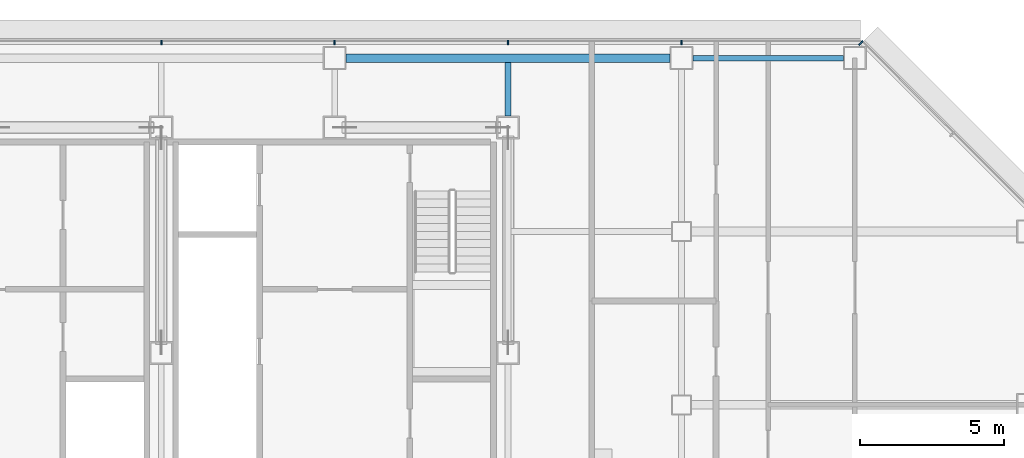
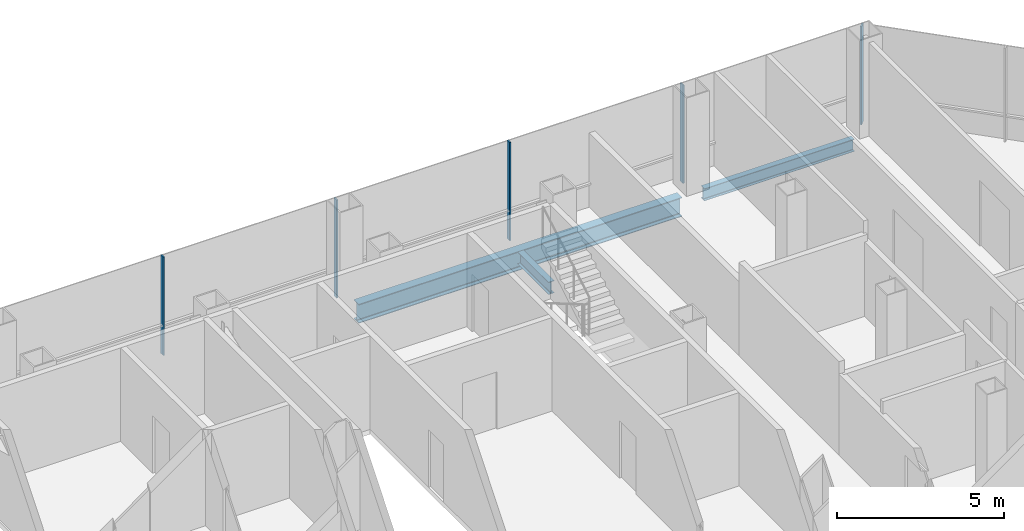
# One storey, part 14 of 25: 5 members, 3 beams, 2 elements without a shape of their own.
"""IFC4 building model written with IfcOpenShell, lengths in metres."""

from ifc_helpers import new_model, si_unit, direction, frame, origin, origin_2d, place, context, subcontext, project, spatial, rectangle, i_section, extrude, material, material_profile, profile_set, type_object, element, aggregate, save


model = new_model("IFC4")

# Units and contexts
model_context = context("Model", 3, precision=1e-05, world=origin(), true_north=direction((0.0, 1.0)))
body_context = subcontext(model_context, "Body", "Model", "MODEL_VIEW")
ifc_project = project(units=[si_unit("LENGTHUNIT", "METRE"), si_unit("AREAUNIT", "SQUARE_METRE"), si_unit("VOLUMEUNIT", "CUBIC_METRE"), si_unit("PLANEANGLEUNIT", "RADIAN"), si_unit("MASSUNIT", "GRAM", prefix="KILO")], contexts=[model_context])

# Site, building, storey
site_placement = place(None, origin())
site = spatial("IfcSite", under=ifc_project, at=site_placement, CompositionType="ELEMENT")
building_placement = place(site_placement, origin())
building = spatial("IfcBuilding", under=site, at=building_placement, Name="Sorahane Residences", CompositionType="ELEMENT")
storey_placement = place(building_placement, frame((0.0, 0.0, 119.60009765625)))
storey = spatial("IfcBuildingStorey", under=building, at=storey_placement, Name="L26", CompositionType="ELEMENT", Elevation=119.60009765625)

# Curtain wall, members
ifc_material_1 = material(Name="Dark low-e glass and black anodised aluminium", Category="aluminium")
curtain_wall_type_1 = type_object("IfcCurtainWallType", Name="Curtain wall CW-1 Typical unitised wall", PredefinedType="NOTDEFINED", material=ifc_material_1)
curtain_wall_1_placement = place(storey_placement, origin())
curtain_wall_1 = element("IfcCurtainWall", 1, at=curtain_wall_1_placement, inside=storey, type_object=curtain_wall_type_1, Name="CW-1 curtain wall L26 N1", PredefinedType="NOTDEFINED")
ifc_material_2 = material(Name="Black anodised aluminium", Category="aluminium")
ifc_material_profile_1 = material_profile(ifc_material_2, rectangle(XDim=0.159912109375, YDim=0.050048828125, at=origin_2d()), Name="Curtain wall mullion CW-1 black anodised aluminium 50x160")
ifc_profile_set_1 = profile_set([ifc_material_profile_1], Name="Black anodised aluminium")
member_type_1 = type_object("IfcMemberType", Name="Curtain wall mullion CW-1 black anodised aluminium 50x160", PredefinedType="MULLION", material=ifc_profile_set_1)
member_1_placement = place(storey_placement, frame((48.0, 48.5400390625, -0.18017578125), z_axis=(0.0, 0.0, 1.0), x_axis=(0.0, 1.0, 0.0)))
member_1 = element("IfcMember", 2, at=member_1_placement, type_object=member_type_1, Name="CW-1 mullion L26 N1.2", PredefinedType="MULLION", context=body_context, shape_type="SweptSolid", body=[
    extrude(rectangle(XDim=0.159912109375, YDim=0.050048828125, at=origin_2d()), origin(), (0.0, 0.0, 1.0), 3.60009765625),
])
member_2_placement = place(storey_placement, frame((42.0, 48.5400390625, -0.18017578125), z_axis=(0.0, 0.0, 1.0), x_axis=(0.0, 1.0, 0.0)))
member_2 = element("IfcMember", 3, at=member_2_placement, type_object=member_type_1, Name="CW-1 mullion L26 N1.3", PredefinedType="MULLION", context=body_context, shape_type="SweptSolid", body=[
    extrude(rectangle(XDim=0.159912109375, YDim=0.050048828125, at=origin_2d()), origin(), (0.0, 0.0, 1.0), 3.60009765625),
])
member_3_placement = place(storey_placement, frame((36.0, 48.5400390625, -0.18017578125), z_axis=(0.0, 0.0, 1.0), x_axis=(0.0, 1.0, 0.0)))
member_3 = element("IfcMember", 4, at=member_3_placement, type_object=member_type_1, Name="CW-1 mullion L26 N1.4", PredefinedType="MULLION", context=body_context, shape_type="SweptSolid", body=[
    extrude(rectangle(XDim=0.159912109375, YDim=0.050048828125, at=origin_2d()), origin(), (0.0, 0.0, 1.0), 3.60009765625),
])
member_4_placement = place(storey_placement, frame((30.0, 48.5400390625, -0.18017578125), z_axis=(0.0, 0.0, 1.0), x_axis=(0.0, 1.0, 0.0)))
member_4 = element("IfcMember", 5, at=member_4_placement, type_object=member_type_1, Name="CW-1 mullion L26 N1.5", PredefinedType="MULLION", context=body_context, shape_type="SweptSolid", body=[
    extrude(rectangle(XDim=0.159912109375, YDim=0.050048828125, at=origin_2d()), origin(), (0.0, 0.0, 1.0), 3.60009765625),
])
aggregate(curtain_wall_1, [member_1, member_2, member_3, member_4])

# Curtain wall, member
ifc_material_3 = material(Name="Dark low-e glass and black anodised aluminium", Category="aluminium")
curtain_wall_type_2 = type_object("IfcCurtainWallType", Name="Curtain wall CW-2 Chamfer unitised wall", PredefinedType="NOTDEFINED", material=ifc_material_3)
curtain_wall_2_placement = place(storey_placement, origin())
curtain_wall_2 = element("IfcCurtainWall", 6, at=curtain_wall_2_placement, inside=storey, type_object=curtain_wall_type_2, Name="CW-2 curtain wall L26 NE1", PredefinedType="NOTDEFINED")
ifc_material_4 = material(Name="Black anodised aluminium", Category="aluminium")
ifc_material_profile_2 = material_profile(ifc_material_4, rectangle(XDim=0.199951171875, YDim=0.050048828125, at=origin_2d()), Name="Curtain wall mullion CW-2 black anodised aluminium 50x200")
ifc_profile_set_2 = profile_set([ifc_material_profile_2], Name="Black anodised aluminium")
member_type_2 = type_object("IfcMemberType", Name="Curtain wall mullion CW-2 black anodised aluminium 50x200", PredefinedType="MULLION", material=ifc_profile_set_2)
member_5_placement = place(storey_placement, frame((54.209716796875, 48.525634765625, -0.18017578125), z_axis=(0.0, 0.0, 1.0), x_axis=(0.707106781187, 0.707106781187, 0.0)))
member_5 = element("IfcMember", 7, at=member_5_placement, type_object=member_type_2, Name="CW-2 mullion L26 NE1.3", PredefinedType="MULLION", context=body_context, shape_type="SweptSolid", body=[
    extrude(rectangle(XDim=0.199951171875, YDim=0.050048828125, at=origin_2d()), origin(), (0.0, 0.0, 1.0), 3.60009765625),
])
aggregate(curtain_wall_2, [member_5])

# Beams
ifc_material_5 = material(Name="Steel Q355B", Category="steel")
ifc_material_profile_3 = material_profile(ifc_material_5, i_section(OverallWidth=0.199951171875, OverallDepth=0.449951171875, WebThickness=0.009033203125, FlangeThickness=0.013916015625, FilletRadius=0.02001953125, at=origin_2d()), Name="HN 450x200x9x14")
ifc_profile_set_3 = profile_set([ifc_material_profile_3], Name="Steel Q355B")
beam_type_1 = type_object("IfcBeamType", Name="Steel floor beam HN 450x200x9x14 Q355B", PredefinedType="BEAM", material=ifc_profile_set_3)
beam_1_placement = place(storey_placement, frame((48.39990234375, 48.0, -0.405029296875), z_axis=(1.0, 0.0, 0.0), x_axis=(0.0, 1.0, 0.0)))
element("IfcBeam", 8, at=beam_1_placement, inside=storey, type_object=beam_type_1, Name="Beam L26 019", PredefinedType="BEAM", context=body_context, shape_type="SweptSolid", body=[
    extrude(i_section(OverallWidth=0.199951171875, OverallDepth=0.449951171875, WebThickness=0.009033203125, FlangeThickness=0.013916015625, FilletRadius=0.02001953125, at=origin_2d()), origin(), (0.0, 0.0, 1.0), 5.2001953125),
])
beam_2_placement = place(storey_placement, frame((42.0, 46.0, -0.405029296875), z_axis=(0.0, 1.0, 0.0), x_axis=(-1.0, 0.0, 0.0)))
element("IfcBeam", 9, at=beam_2_placement, inside=storey, type_object=beam_type_1, Name="Beam L26 057", PredefinedType="BEAM", context=body_context, shape_type="SweptSolid", body=[
    extrude(i_section(OverallWidth=0.199951171875, OverallDepth=0.449951171875, WebThickness=0.009033203125, FlangeThickness=0.013916015625, FilletRadius=0.02001953125, at=origin_2d()), origin(), (0.0, 0.0, 1.0), 1.85009765625),
])
ifc_material_6 = material(Name="Steel Q355B", Category="steel")
ifc_material_profile_4 = material_profile(ifc_material_6, i_section(OverallWidth=0.300048828125, OverallDepth=0.699951171875, WebThickness=0.012939453125, FlangeThickness=0.02392578125, FilletRadius=0.028076171875, at=origin_2d()), Name="HN 700x300x13x24")
ifc_profile_set_4 = profile_set([ifc_material_profile_4], Name="Steel Q355B")
beam_type_2 = type_object("IfcBeamType", Name="Steel floor beam HN 700x300x13x24 Q355B", PredefinedType="BEAM", material=ifc_profile_set_4)
beam_3_placement = place(storey_placement, frame((36.39990234375, 48.0, -0.530029296875), z_axis=(1.0, 0.0, 0.0), x_axis=(0.0, 1.0, 0.0)))
element("IfcBeam", 10, at=beam_3_placement, inside=storey, type_object=beam_type_2, Name="Beam L26 018", PredefinedType="BEAM", context=body_context, shape_type="SweptSolid", body=[
    extrude(i_section(OverallWidth=0.300048828125, OverallDepth=0.699951171875, WebThickness=0.012939453125, FlangeThickness=0.02392578125, FilletRadius=0.028076171875, at=origin_2d()), origin(), (0.0, 0.0, 1.0), 11.2001953125),
])

save(model, "model.ifc")
